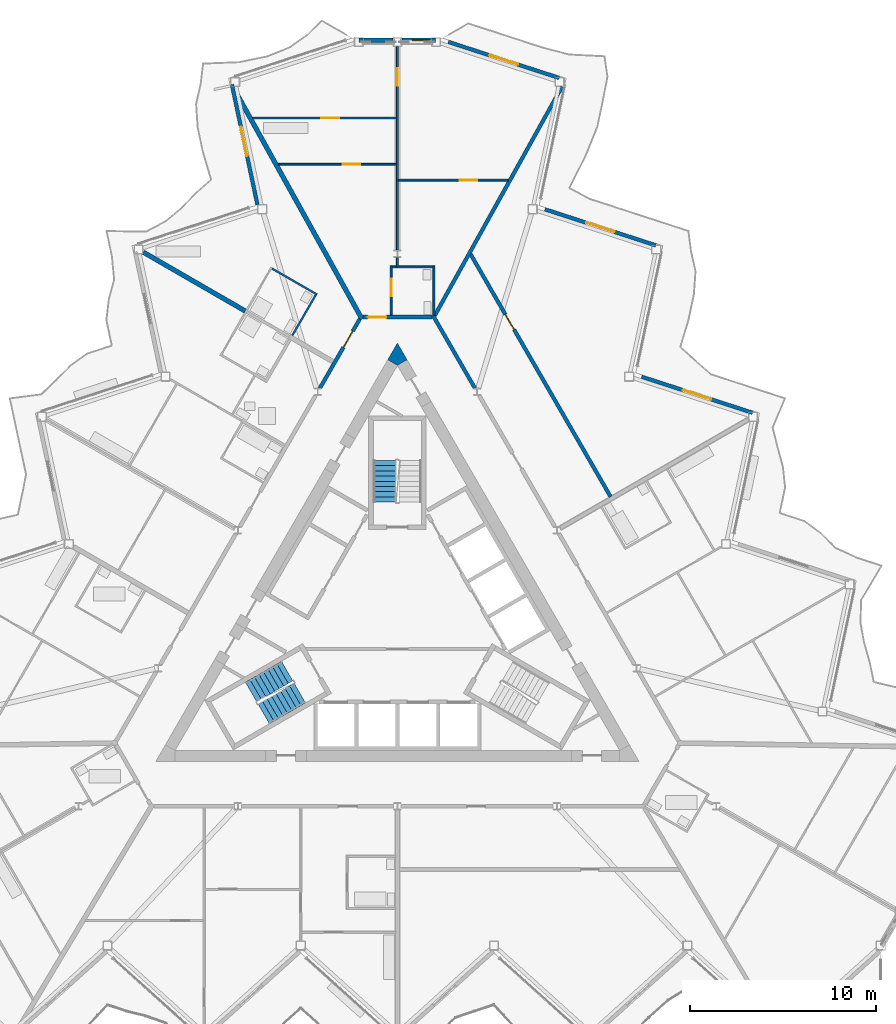
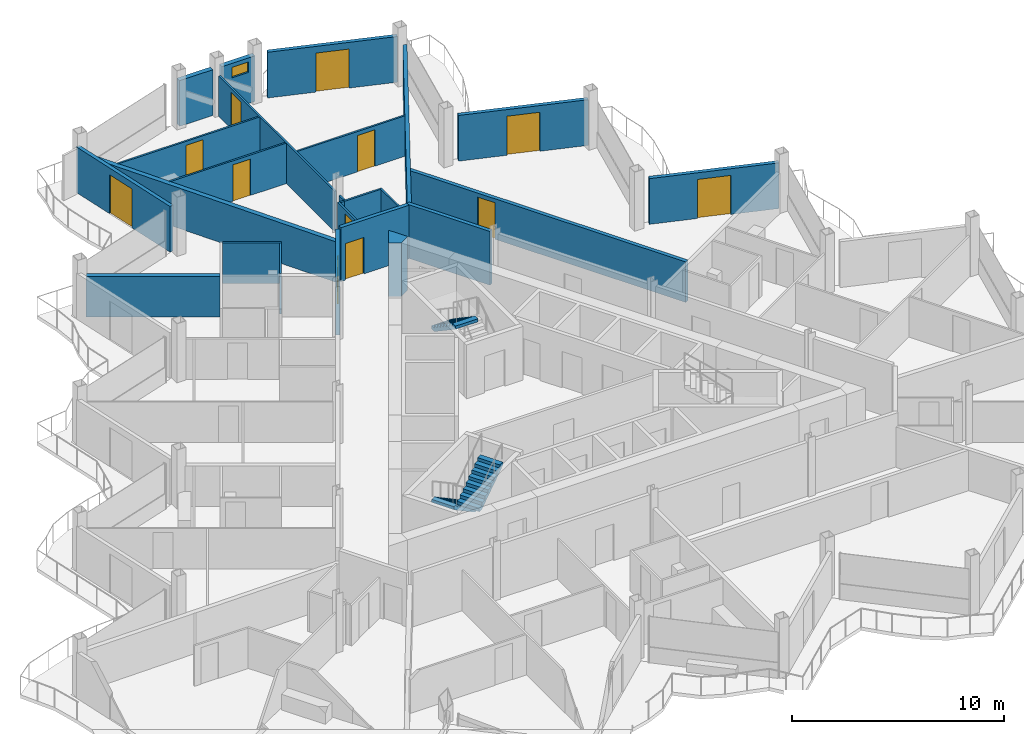
# One storey, part 17 of 26: 25 walls, 12 doors, 3 stair flights, 1 window, 13 openings, 2 elements without a shape of their own.
"""IFC4 building model written with IfcOpenShell, lengths in metres."""

from ifc_helpers import new_model, si_unit, direction, frame, frame_2d, origin, place, context, subcontext, project, spatial, polyline, rectangle, outline, extrude, material, layer, layer_set, type_object, element, fill, aggregate, save


model = new_model("IFC4")

# Units and contexts
model_context = context("Model", 3, precision=1e-05, world=origin(), true_north=direction((0.0, 1.0)))
body_context = subcontext(model_context, "Body", "Model", "MODEL_VIEW")
ifc_project = project(units=[si_unit("LENGTHUNIT", "METRE"), si_unit("AREAUNIT", "SQUARE_METRE"), si_unit("VOLUMEUNIT", "CUBIC_METRE"), si_unit("PLANEANGLEUNIT", "RADIAN"), si_unit("MASSUNIT", "GRAM", prefix="KILO")], contexts=[model_context])

# Site, building, storey
site_placement = place(None, origin())
site = spatial("IfcSite", under=ifc_project, at=site_placement, CompositionType="ELEMENT")
building_placement = place(site_placement, origin())
building = spatial("IfcBuilding", under=site, at=building_placement, Name="Cormorant Prow Tower", CompositionType="ELEMENT")
storey_placement = place(building_placement, frame((0.0, 0.0, 388.199951171875)))
storey = spatial("IfcBuildingStorey", under=building, at=storey_placement, Name="L88", CompositionType="ELEMENT", Elevation=388.199951171875)

# Walls
ifc_material_1 = material(Name="Concrete 8000 psi", Category="concrete")
ifc_layer_1 = layer(ifc_material_1, 0.60009765625)
ifc_layer_set_1 = layer_set([ifc_layer_1], Name="Concrete 8000 psi")
wall_type_1 = type_object("IfcWallType", Name="Core shear wall 600", PredefinedType="SHEAR", material=ifc_layer_set_1)
wall_1_placement = place(storey_placement, origin())
element("IfcWall", 1, at=wall_1_placement, inside=storey, type_object=wall_type_1, Name="Core wall corner", PredefinedType="SHEAR", context=body_context, shape_type="SweptSolid", body=[
    extrude(outline(polyline([(-0.51953125, 14.111083984375), (0.0, 15.010986328125), (0.51953125, 14.111083984375), (0.0, 13.81103515625), (-0.51953125, 14.111083984375)])), origin(), (0.0, 0.0, 1.0), 3.10009765625),
])
ifc_material_2 = material(Name="Gypsum board corridor wall")
ifc_layer_2 = layer(ifc_material_2, 0.199951171875)
ifc_layer_set_2 = layer_set([ifc_layer_2], Name="Gypsum board corridor wall")
wall_type_2 = type_object("IfcWallType", Name="Corridor wall 200", PredefinedType="PARTITIONING", material=ifc_layer_set_2)
wall_2_placement = place(storey_placement, frame((1.9130859375, 16.497802734375, 0.0), z_axis=(0.0, 0.0, 1.0), x_axis=(0.499974648164, -0.866040040179, 0.0)))
element("IfcWall", 2, at=wall_2_placement, inside=storey, type_object=wall_type_2, Name="Corridor wall", PredefinedType="PARTITIONING", context=body_context, shape_type="SweptSolid", body=[
    extrude(rectangle(XDim=4.525146484375, YDim=0.199951171875, at=frame_2d((2.2626953125, 0.0))), origin(), (0.0, 0.0, 1.0), 3.10009765625),
])

# Wall, opening, door
wall_3_placement = place(storey_placement, frame((-4.175537109375, 12.578857421875, 0.0), z_axis=(0.0, 0.0, 1.0), x_axis=(0.500004215162, 0.866022970146, 0.0)))
wall_3 = element("IfcWall", 3, at=wall_3_placement, inside=storey, type_object=wall_type_2, Name="Corridor wall", PredefinedType="PARTITIONING", context=body_context, shape_type="SweptSolid", body=[
    extrude(rectangle(XDim=4.30029296875, YDim=0.199951171875, at=frame_2d((2.150146484375, 0.0))), origin(), (0.0, 0.0, 1.0), 3.10009765625),
])
opening_1_placement = place(wall_3_placement, frame((2.550048828125, 0.0, 0.0)))
opening_1 = element("IfcOpeningElement", 4, at=opening_1_placement, cuts=wall_3, Name="Opening L88-F31", PredefinedType="OPENING", context=body_context, shape_type="SweptSolid", body=[
    extrude(rectangle(XDim=1.0, YDim=2.10009765625, at=frame_2d((0.5, 1.050048828125))), frame((0.0, 0.10986328125, 0.0), z_axis=(0.0, -1.0, 0.0), x_axis=(1.0, 0.0, 0.0)), (0.0, 0.0, 1.0), 0.219970703125),
])
ifc_material_3 = material(Name="Timber door leaf", Category="wood")
door_type_1 = type_object("IfcDoorType", Name="Flat or room entrance door 1000x2100", OperationType="NOTDEFINED", PredefinedType="DOOR", material=ifc_material_3)
door_1_placement = place(opening_1_placement, origin())
door_1 = element("IfcDoor", 5, at=door_1_placement, inside=storey, type_object=door_type_1, Name="Studio living, kitchen and sleeping room door", OperationType="SINGLE_SWING_RIGHT", OverallHeight=2.10009765625, OverallWidth=1.0, PredefinedType="DOOR", context=body_context, shape_type="SweptSolid", body=[
    extrude(rectangle(XDim=1.0, YDim=2.10009765625, at=frame_2d((0.5, 1.050048828125))), frame((0.0, 0.02490234375, 0.0), z_axis=(0.0, -1.0, 0.0), x_axis=(1.0, 0.0, 0.0)), (0.0, 0.0, 1.0), 0.050048828125),
])
fill(opening_1, door_1)

wall_4_placement = place(storey_placement, frame((-1.837890625, 16.4111328125, 0.0), z_axis=(0.0, 0.0, 1.0), x_axis=(1.0, 0.0, 0.0)))
wall_4 = element("IfcWall", 6, at=wall_4_placement, inside=storey, type_object=wall_type_2, Name="Corridor wall", PredefinedType="PARTITIONING", context=body_context, shape_type="SweptSolid", body=[
    extrude(rectangle(XDim=3.700927734375, YDim=0.199951171875, at=frame_2d((1.8505859375, 0.0))), origin(), (0.0, 0.0, 1.0), 3.10009765625),
])
opening_2_placement = place(wall_4_placement, frame((0.25, 0.0, 0.0)))
opening_2 = element("IfcOpeningElement", 7, at=opening_2_placement, cuts=wall_4, Name="Opening L88-F25", PredefinedType="OPENING", context=body_context, shape_type="SweptSolid", body=[
    extrude(rectangle(XDim=1.0, YDim=2.10009765625, at=frame_2d((0.5, 1.050048828125))), frame((0.0, 0.10986328125, 0.0), z_axis=(0.0, -1.0, 0.0), x_axis=(1.0, 0.0, 0.0)), (0.0, 0.0, 1.0), 0.219970703125),
])
door_2_placement = place(opening_2_placement, origin())
door_2 = element("IfcDoor", 8, at=door_2_placement, inside=storey, type_object=door_type_1, Name="Living room door", OperationType="SINGLE_SWING_RIGHT", OverallHeight=2.10009765625, OverallWidth=1.0, PredefinedType="DOOR", context=body_context, shape_type="SweptSolid", body=[
    extrude(rectangle(XDim=1.0, YDim=2.10009765625, at=frame_2d((0.5, 1.050048828125))), frame((0.0, 0.02490234375, 0.0), z_axis=(0.0, -1.0, 0.0), x_axis=(1.0, 0.0, 0.0)), (0.0, 0.0, 1.0), 0.050048828125),
])
fill(opening_2, door_2)

ifc_material_4 = material(Name="Gypsum board demising wall")
ifc_layer_3 = layer(ifc_material_4, 0.199951171875)
ifc_layer_set_3 = layer_set([ifc_layer_3], Name="Gypsum board demising wall")
wall_type_3 = type_object("IfcWallType", Name="Demising wall 200", PredefinedType="PARTITIONING", material=ifc_layer_set_3)
wall_5_placement = place(storey_placement, frame((3.926025390625, 19.81103515625, 0.0), z_axis=(0.0, 0.0, 1.0), x_axis=(0.500001082559, -0.866024778768, 0.0)))
wall_5 = element("IfcWall", 9, at=wall_5_placement, inside=storey, type_object=wall_type_3, Name="Demising wall", PredefinedType="PARTITIONING", context=body_context, shape_type="SweptSolid", body=[
    extrude(rectangle(XDim=15.09375, YDim=0.199951171875, at=frame_2d((7.546875, 0.0))), origin(), (0.0, 0.0, 1.0), 2.330078125),
])
opening_3_placement = place(wall_5_placement, frame((3.76123046875, 0.0, 0.0)))
opening_3 = element("IfcOpeningElement", 10, at=opening_3_placement, cuts=wall_5, Name="Opening L88-F24", PredefinedType="OPENING", context=body_context, shape_type="SweptSolid", body=[
    extrude(rectangle(XDim=0.949951171875, YDim=2.10009765625, at=frame_2d((0.47509765625, 1.050048828125))), frame((0.0, 0.10986328125, 0.0), z_axis=(0.0, -1.0, 0.0), x_axis=(1.0, 0.0, 0.0)), (0.0, 0.0, 1.0), 0.219970703125),
])
ifc_material_5 = material(Name="Timber door leaf", Category="wood")
door_type_2 = type_object("IfcDoorType", Name="Store door 950x2100", OperationType="NOTDEFINED", PredefinedType="DOOR", material=ifc_material_5)
door_3_placement = place(opening_3_placement, origin())
door_3 = element("IfcDoor", 11, at=door_3_placement, inside=storey, type_object=door_type_2, Name="Bicycle store door", OperationType="SINGLE_SWING_RIGHT", OverallHeight=2.10009765625, OverallWidth=0.949951171875, PredefinedType="DOOR", context=body_context, shape_type="SweptSolid", body=[
    extrude(rectangle(XDim=0.949951171875, YDim=2.10009765625, at=frame_2d((0.47509765625, 1.050048828125))), frame((0.0, 0.02490234375, 0.0), z_axis=(0.0, -1.0, 0.0), x_axis=(1.0, 0.0, 0.0)), (0.0, 0.0, 1.0), 0.050048828125),
])
fill(opening_3, door_3)

# Wall
wall_6_placement = place(storey_placement, frame((2.01171875, 16.498291015625, 0.0), z_axis=(0.0, 0.0, 1.0), x_axis=(0.485991996179, 0.873963259897, 0.0)))
element("IfcWall", 12, at=wall_6_placement, inside=storey, type_object=wall_type_3, Name="Demising wall", PredefinedType="PARTITIONING", context=body_context, shape_type="SweptSolid", body=[
    extrude(rectangle(XDim=14.072509765625, YDim=0.199951171875, at=frame_2d((7.0361328125, 0.0))), origin(), (0.0, 0.0, 1.0), 2.330078125),
])

# Wall, opening, door
ifc_material_6 = material(Name="Gypsum board partition")
ifc_layer_4 = layer(ifc_material_6, 0.10009765625)
ifc_layer_set_4 = layer_set([ifc_layer_4], Name="Gypsum board partition")
wall_type_4 = type_object("IfcWallType", Name="Internal partition 100", PredefinedType="PARTITIONING", material=ifc_layer_set_4)
wall_7_placement = place(storey_placement, frame((0.0, 20.008056640625, 0.0), z_axis=(0.0, 0.0, 1.0), x_axis=(0.0, 1.0, 0.0)))
wall_7 = element("IfcWall", 13, at=wall_7_placement, inside=storey, type_object=wall_type_4, Name="Internal partition", PredefinedType="PARTITIONING", context=body_context, shape_type="SweptSolid", body=[
    extrude(rectangle(XDim=10.951416015625, YDim=0.10009765625, at=frame_2d((5.4755859375, 0.0))), origin(), (0.0, 0.0, 1.0), 2.330078125),
])
opening_4_placement = place(wall_7_placement, frame((8.851318359375, 0.0, 0.0)))
opening_4 = element("IfcOpeningElement", 14, at=opening_4_placement, cuts=wall_7, Name="Opening L88-F29", PredefinedType="OPENING", context=body_context, shape_type="SweptSolid", body=[
    extrude(rectangle(XDim=0.949951171875, YDim=2.10009765625, at=frame_2d((0.47509765625, 1.050048828125))), frame((0.0, 0.06005859375, 0.0), z_axis=(0.0, -1.0, 0.0), x_axis=(1.0, 0.0, 0.0)), (0.0, 0.0, 1.0), 0.1201171875),
])
ifc_material_7 = material(Name="Timber door leaf", Category="wood")
door_type_3 = type_object("IfcDoorType", Name="Bathroom door 950x2100", OperationType="NOTDEFINED", PredefinedType="DOOR", material=ifc_material_7)
door_4_placement = place(opening_4_placement, origin())
door_4 = element("IfcDoor", 15, at=door_4_placement, inside=storey, type_object=door_type_3, Name="Dining room door", OperationType="SINGLE_SWING_LEFT", OverallHeight=2.10009765625, OverallWidth=0.949951171875, PredefinedType="DOOR", context=body_context, shape_type="SweptSolid", body=[
    extrude(rectangle(XDim=0.949951171875, YDim=2.10009765625, at=frame_2d((0.47509765625, 1.050048828125))), frame((0.0, 0.02490234375, 0.0), z_axis=(0.0, -1.0, 0.0), x_axis=(1.0, 0.0, 0.0)), (0.0, 0.0, 1.0), 0.050048828125),
])
fill(opening_4, door_4)

wall_8_placement = place(storey_placement, frame((-7.793212890625, 27.1201171875, 0.0), z_axis=(0.0, 0.0, 1.0), x_axis=(1.0, 0.0, 0.0)))
wall_8 = element("IfcWall", 16, at=wall_8_placement, inside=storey, type_object=wall_type_4, Name="Internal partition", PredefinedType="PARTITIONING", context=body_context, shape_type="SweptSolid", body=[
    extrude(rectangle(XDim=7.7431640625, YDim=0.10009765625, at=frame_2d((3.87158203125, 0.0))), origin(), (0.0, 0.0, 1.0), 2.330078125),
])
opening_5_placement = place(wall_8_placement, frame((3.701171875, 0.0, 0.0)))
opening_5 = element("IfcOpeningElement", 17, at=opening_5_placement, cuts=wall_8, Name="Opening L88-F28", PredefinedType="OPENING", context=body_context, shape_type="SweptSolid", body=[
    extrude(rectangle(XDim=0.949951171875, YDim=2.10009765625, at=frame_2d((0.47509765625, 1.050048828125))), frame((0.0, 0.06005859375, 0.0), z_axis=(0.0, -1.0, 0.0), x_axis=(1.0, 0.0, 0.0)), (0.0, 0.0, 1.0), 0.1201171875),
])
door_5_placement = place(opening_5_placement, origin())
door_5 = element("IfcDoor", 18, at=door_5_placement, inside=storey, type_object=door_type_3, Name="Kitchen door", OperationType="SINGLE_SWING_LEFT", OverallHeight=2.10009765625, OverallWidth=0.949951171875, PredefinedType="DOOR", context=body_context, shape_type="SweptSolid", body=[
    extrude(rectangle(XDim=0.949951171875, YDim=2.10009765625, at=frame_2d((0.47509765625, 1.050048828125))), frame((0.0, 0.02490234375, 0.0), z_axis=(0.0, -1.0, 0.0), x_axis=(1.0, 0.0, 0.0)), (0.0, 0.0, 1.0), 0.050048828125),
])
fill(opening_5, door_5)

wall_9_placement = place(storey_placement, frame((-6.407958984375, 24.629150390625, 0.0), z_axis=(0.0, 0.0, 1.0), x_axis=(1.0, 0.0, 0.0)))
wall_9 = element("IfcWall", 19, at=wall_9_placement, inside=storey, type_object=wall_type_4, Name="Internal partition", PredefinedType="PARTITIONING", context=body_context, shape_type="SweptSolid", body=[
    extrude(rectangle(XDim=6.35791015625, YDim=0.10009765625, at=frame_2d((3.178955078125, 0.0))), origin(), (0.0, 0.0, 1.0), 2.330078125),
])
opening_6_placement = place(wall_9_placement, frame((3.455322265625, 0.0, 0.0)))
opening_6 = element("IfcOpeningElement", 20, at=opening_6_placement, cuts=wall_9, Name="Opening L88-F27", PredefinedType="OPENING", context=body_context, shape_type="SweptSolid", body=[
    extrude(rectangle(XDim=0.949951171875, YDim=2.10009765625, at=frame_2d((0.47509765625, 1.050048828125))), frame((0.0, 0.06005859375, 0.0), z_axis=(0.0, -1.0, 0.0), x_axis=(1.0, 0.0, 0.0)), (0.0, 0.0, 1.0), 0.1201171875),
])
door_6_placement = place(opening_6_placement, origin())
door_6 = element("IfcDoor", 21, at=door_6_placement, inside=storey, type_object=door_type_3, Name="Living room door", OperationType="SINGLE_SWING_RIGHT", OverallHeight=2.10009765625, OverallWidth=0.949951171875, PredefinedType="DOOR", context=body_context, shape_type="SweptSolid", body=[
    extrude(rectangle(XDim=0.949951171875, YDim=2.10009765625, at=frame_2d((0.47509765625, 1.050048828125))), frame((0.0, 0.02490234375, 0.0), z_axis=(0.0, -1.0, 0.0), x_axis=(1.0, 0.0, 0.0)), (0.0, 0.0, 1.0), 0.050048828125),
])
fill(opening_6, door_6)

wall_10_placement = place(storey_placement, frame((0.050048828125, 23.7783203125, 0.0), z_axis=(0.0, 0.0, 1.0), x_axis=(1.0, 0.0, 0.0)))
wall_10 = element("IfcWall", 22, at=wall_10_placement, inside=storey, type_object=wall_type_4, Name="Internal partition", PredefinedType="PARTITIONING", context=body_context, shape_type="SweptSolid", body=[
    extrude(rectangle(XDim=5.909912109375, YDim=0.10009765625, at=frame_2d((2.955078125, 0.0))), origin(), (0.0, 0.0, 1.0), 2.330078125),
])
opening_7_placement = place(wall_10_placement, frame((3.291015625, 0.0, 0.0)))
opening_7 = element("IfcOpeningElement", 23, at=opening_7_placement, cuts=wall_10, Name="Opening L88-F30", PredefinedType="OPENING", context=body_context, shape_type="SweptSolid", body=[
    extrude(rectangle(XDim=0.949951171875, YDim=2.10009765625, at=frame_2d((0.47509765625, 1.050048828125))), frame((0.0, 0.06005859375, 0.0), z_axis=(0.0, -1.0, 0.0), x_axis=(1.0, 0.0, 0.0)), (0.0, 0.0, 1.0), 0.1201171875),
])
door_7_placement = place(opening_7_placement, origin())
door_7 = element("IfcDoor", 24, at=door_7_placement, inside=storey, type_object=door_type_3, Name="Principal bedroom door", OperationType="SINGLE_SWING_RIGHT", OverallHeight=2.10009765625, OverallWidth=0.949951171875, PredefinedType="DOOR", context=body_context, shape_type="SweptSolid", body=[
    extrude(rectangle(XDim=0.949951171875, YDim=2.10009765625, at=frame_2d((0.47509765625, 1.050048828125))), frame((0.0, 0.02490234375, 0.0), z_axis=(0.0, -1.0, 0.0), x_axis=(1.0, 0.0, 0.0)), (0.0, 0.0, 1.0), 0.050048828125),
])
fill(opening_7, door_7)

# Walls
wall_11_placement = place(storey_placement, frame((-6.748291015625, 19.022705078125, 0.0), z_axis=(0.0, 0.0, 1.0), x_axis=(0.866034573852, -0.49998411664, 0.0)))
element("IfcWall", 25, at=wall_11_placement, inside=storey, type_object=wall_type_4, Name="Internal partition", PredefinedType="PARTITIONING", context=body_context, shape_type="SweptSolid", body=[
    extrude(rectangle(XDim=2.7998046875, YDim=0.10009765625, at=frame_2d((1.39990234375, 0.0))), origin(), (0.0, 0.0, 1.0), 2.330078125),
])
wall_12_placement = place(storey_placement, frame((-5.654296875, 15.417724609375, 0.0), z_axis=(0.0, 0.0, 1.0), x_axis=(0.500048846702, 0.865997200291, 0.0)))
element("IfcWall", 26, at=wall_12_placement, inside=storey, type_object=wall_type_4, Name="Internal partition", PredefinedType="PARTITIONING", context=body_context, shape_type="SweptSolid", body=[
    extrude(rectangle(XDim=2.525146484375, YDim=0.10009765625, at=frame_2d((1.2626953125, 0.0))), origin(), (0.0, 0.0, 1.0), 2.330078125),
])
wall_13_placement = place(storey_placement, frame((1.962890625, 16.510986328125, 0.0), z_axis=(0.0, 0.0, 1.0), x_axis=(0.0, 1.0, 0.0)))
element("IfcWall", 27, at=wall_13_placement, inside=storey, type_object=wall_type_4, Name="Internal partition", PredefinedType="PARTITIONING", context=body_context, shape_type="SweptSolid", body=[
    extrude(rectangle(XDim=2.650146484375, YDim=0.10009765625, at=frame_2d((1.3251953125, 0.0))), origin(), (0.0, 0.0, 1.0), 2.330078125),
])

# Wall, opening, door
wall_14_placement = place(storey_placement, frame((-0.3369140625, 16.510986328125, 0.0), z_axis=(0.0, 0.0, 1.0), x_axis=(0.0, 1.0, 0.0)))
wall_14 = element("IfcWall", 28, at=wall_14_placement, inside=storey, type_object=wall_type_4, Name="Internal partition", PredefinedType="PARTITIONING", context=body_context, shape_type="SweptSolid", body=[
    extrude(rectangle(XDim=2.649169921875, YDim=0.10009765625, at=frame_2d((1.32470703125, 0.0))), origin(), (0.0, 0.0, 1.0), 2.330078125),
])
opening_8_placement = place(wall_14_placement, frame((1.01318359375, 0.0, 0.0)))
opening_8 = element("IfcOpeningElement", 29, at=opening_8_placement, cuts=wall_14, Name="Opening L88-F26", PredefinedType="OPENING", context=body_context, shape_type="SweptSolid", body=[
    extrude(rectangle(XDim=0.949951171875, YDim=2.10009765625, at=frame_2d((0.47509765625, 1.050048828125))), frame((0.0, 0.06005859375, 0.0), z_axis=(0.0, -1.0, 0.0), x_axis=(1.0, 0.0, 0.0)), (0.0, 0.0, 1.0), 0.1201171875),
])
door_8_placement = place(opening_8_placement, origin())
door_8 = element("IfcDoor", 30, at=door_8_placement, inside=storey, type_object=door_type_3, Name="Living room door", OperationType="SINGLE_SWING_RIGHT", OverallHeight=2.10009765625, OverallWidth=0.949951171875, PredefinedType="DOOR", context=body_context, shape_type="SweptSolid", body=[
    extrude(rectangle(XDim=0.949951171875, YDim=2.10009765625, at=frame_2d((0.47509765625, 1.050048828125))), frame((0.0, 0.02490234375, 0.0), z_axis=(0.0, -1.0, 0.0), x_axis=(1.0, 0.0, 0.0)), (0.0, 0.0, 1.0), 0.050048828125),
])
fill(opening_8, door_8)

# Walls
wall_15_placement = place(storey_placement, frame((-0.06005859375, 19.111083984375, 0.0), z_axis=(0.0, 0.0, 1.0), x_axis=(1.0, 0.0, 0.0)))
element("IfcWall", 31, at=wall_15_placement, inside=storey, type_object=wall_type_4, Name="Internal partition", PredefinedType="PARTITIONING", context=body_context, shape_type="SweptSolid", body=[
    extrude(rectangle(XDim=1.97314453125, YDim=0.10009765625, at=frame_2d((0.986572265625, 0.0))), origin(), (0.0, 0.0, 1.0), 2.330078125),
])
wall_16_placement = place(storey_placement, frame((0.0, 19.1611328125, 0.0), z_axis=(0.0, 0.0, 1.0), x_axis=(0.0, 1.0, 0.0)))
element("IfcWall", 32, at=wall_16_placement, inside=storey, type_object=wall_type_4, Name="Internal partition", PredefinedType="PARTITIONING", context=body_context, shape_type="SweptSolid", body=[
    extrude(rectangle(XDim=0.452880859375, YDim=0.10009765625, at=frame_2d((0.2265625, 0.0))), origin(), (0.0, 0.0, 1.0), 2.330078125),
])
wall_17_placement = place(storey_placement, frame((-0.287109375, 19.1103515625, 0.0), z_axis=(0.0, 0.0, 1.0), x_axis=(0.999994683407, 0.003260852229, 0.0)))
element("IfcWall", 33, at=wall_17_placement, inside=storey, type_object=wall_type_4, Name="Internal partition", PredefinedType="PARTITIONING", context=body_context, shape_type="SweptSolid", body=[
    extrude(rectangle(XDim=0.224609375, YDim=0.10009765625, at=frame_2d((0.1123046875, 0.0))), origin(), (0.0, 0.0, 1.0), 2.330078125),
])
ifc_material_8 = material(Name="Acoustic gypsum party wall")
ifc_layer_5 = layer(ifc_material_8, 0.25)
ifc_layer_set_5 = layer_set([ifc_layer_5], Name="Acoustic gypsum party wall")
wall_type_5 = type_object("IfcWallType", Name="Suite party wall 250", PredefinedType="PARTITIONING", material=ifc_layer_set_5)
wall_18_placement = place(storey_placement, frame((-8.68505859375, 28.4990234375, 0.0), z_axis=(0.0, 0.0, 1.0), x_axis=(0.486017177904, -0.873949256412, 0.0)))
element("IfcWall", 34, at=wall_18_placement, inside=storey, type_object=wall_type_5, Name="Suite party wall", PredefinedType="PARTITIONING", context=body_context, shape_type="SweptSolid", body=[
    extrude(rectangle(XDim=13.956298828125, YDim=0.25, at=frame_2d((6.97802734375, 0.0))), origin(), (0.0, 0.0, 1.0), 2.330078125),
])
wall_19_placement = place(storey_placement, frame((-13.668701171875, 19.900390625, 0.0), z_axis=(0.0, 0.0, 1.0), x_axis=(0.866032778651, -0.499987226139, 0.0)))
element("IfcWall", 35, at=wall_19_placement, inside=storey, type_object=wall_type_5, Name="Suite party wall", PredefinedType="PARTITIONING", context=body_context, shape_type="SweptSolid", body=[
    extrude(rectangle(XDim=6.332275390625, YDim=0.25, at=frame_2d((3.166015625, 0.0))), origin(), (0.0, 0.0, 1.0), 2.330078125),
])

# Wall, opening, window
ifc_material_9 = material(Name="Terracotta", Category="masonry")
ifc_layer_6 = layer(ifc_material_9, 0.25)
ifc_layer_set_6 = layer_set([ifc_layer_6], Name="Terracotta")
wall_type_6 = type_object("IfcWallType", Name="Terracotta bay wall 250", PredefinedType="SOLIDWALL", material=ifc_layer_set_6)
wall_20_placement = place(storey_placement, frame((2.0576171875, 31.29638671875, 0.0), z_axis=(0.0, 0.0, 1.0), x_axis=(-1.0, 0.0, 0.0)))
wall_20 = element("IfcWall", 36, at=wall_20_placement, inside=storey, type_object=wall_type_6, Name="Terracotta bay wall N00", PredefinedType="SOLIDWALL", context=body_context, shape_type="SweptSolid", body=[
    extrude(rectangle(XDim=1.8076171875, YDim=0.25, at=frame_2d((0.90380859375, 0.0))), origin(), (0.0, 0.0, 1.0), 2.634033203125),
])
opening_9_placement = place(wall_20_placement, frame((0.35009765625, 0.0, 1.800048828125)))
opening_9 = element("IfcOpeningElement", 37, at=opening_9_placement, cuts=wall_20, Name="Opening WN7", PredefinedType="OPENING", context=body_context, shape_type="SweptSolid", body=[
    extrude(rectangle(XDim=0.89990234375, YDim=0.60009765625, at=frame_2d((0.449951171875, 0.300048828125))), frame((0.0, 0.135009765625, 0.0), z_axis=(0.0, -1.0, 0.0), x_axis=(1.0, 0.0, 0.0)), (0.0, 0.0, 1.0), 0.27001953125),
])
ifc_material_10 = material(Name="Aluminium 6063-T6", Category="aluminium")
window_type = type_object("IfcWindowType", Name="Corner bay window 900x600", PartitioningType="SINGLE_PANEL", PredefinedType="WINDOW", material=ifc_material_10)
window_placement = place(opening_9_placement, origin())
window = element("IfcWindow", 38, at=window_placement, inside=storey, type_object=window_type, Name="Corner bay window N00", OverallHeight=0.60009765625, OverallWidth=0.89990234375, PartitioningType="SINGLE_PANEL", PredefinedType="WINDOW", context=body_context, shape_type="SweptSolid", body=[
    extrude(rectangle(XDim=0.89990234375, YDim=0.60009765625, at=frame_2d((0.449951171875, 0.300048828125))), frame((0.0, 0.030029296875, 0.0), z_axis=(0.0, -1.0, 0.0), x_axis=(1.0, 0.0, 0.0)), (0.0, 0.0, 1.0), 0.06005859375),
])
fill(opening_9, window)

# Wall
wall_21_placement = place(storey_placement, frame((-0.25, 31.29638671875, 0.0), z_axis=(0.0, 0.0, 1.0), x_axis=(-1.0, 0.0, 0.0)))
element("IfcWall", 39, at=wall_21_placement, inside=storey, type_object=wall_type_6, Name="Terracotta bay wall N01", PredefinedType="SOLIDWALL", context=body_context, shape_type="SweptSolid", body=[
    extrude(rectangle(XDim=1.8076171875, YDim=0.25, at=frame_2d((0.90380859375, 0.0))), origin(), (0.0, 0.0, 1.0), 2.634033203125),
])

# Wall, opening, door
ifc_material_11 = material(Name="Terracotta", Category="masonry")
ifc_layer_7 = layer(ifc_material_11, 0.199951171875)
ifc_layer_set_7 = layer_set([ifc_layer_7], Name="Terracotta")
wall_type_7 = type_object("IfcWallType", Name="Terracotta jamb wall 200", PredefinedType="SOLIDWALL", material=ifc_layer_set_7)
wall_22_placement = place(storey_placement, frame((19.099365234375, 11.263916015625, 0.0), z_axis=(0.0, 0.0, 1.0), x_axis=(-0.951056402988, 0.3090173431, 0.0)))
wall_22 = element("IfcWall", 40, at=wall_22_placement, inside=storey, type_object=wall_type_7, Name="Terracotta jamb wall ENE05", PredefinedType="SOLIDWALL", context=body_context, shape_type="SweptSolid", body=[
    extrude(rectangle(XDim=6.26513671875, YDim=0.199951171875, at=frame_2d((3.132568359375, 0.0))), origin(), (0.0, 0.0, 1.0), 2.634033203125),
])
opening_10_placement = place(wall_22_placement, frame((2.332763671875, 0.0, 0.0)))
opening_10 = element("IfcOpeningElement", 41, at=opening_10_placement, cuts=wall_22, Name="Opening ED88.08", PredefinedType="OPENING", context=body_context, shape_type="SweptSolid", body=[
    extrude(rectangle(XDim=1.60009765625, YDim=2.25, at=frame_2d((0.800048828125, 1.125))), frame((0.0, 0.10986328125, 0.0), z_axis=(0.0, -1.0, 0.0), x_axis=(1.0, 0.0, 0.0)), (0.0, 0.0, 1.0), 0.219970703125),
])
ifc_material_12 = material(Name="Aluminium 6063-T6", Category="aluminium")
door_type_4 = type_object("IfcDoorType", Name="Balcony door 1600x2250", OperationType="DOUBLE_DOOR_SINGLE_SWING", PredefinedType="DOOR", material=ifc_material_12)
door_9_placement = place(opening_10_placement, origin())
door_9 = element("IfcDoor", 42, at=door_9_placement, inside=storey, type_object=door_type_4, Name="Balcony door ENE05 ED88.08", OperationType="DOUBLE_DOOR_SINGLE_SWING", OverallHeight=2.25, OverallWidth=1.60009765625, PredefinedType="DOOR", context=body_context, shape_type="SweptSolid", body=[
    extrude(rectangle(XDim=1.60009765625, YDim=2.25, at=frame_2d((0.800048828125, 1.125))), frame((0.0, 0.02490234375, 0.0), z_axis=(0.0, -1.0, 0.0), x_axis=(1.0, 0.0, 0.0)), (0.0, 0.0, 1.0), 0.050048828125),
])
fill(opening_10, door_9)

wall_23_placement = place(storey_placement, frame((13.8994140625, 20.2705078125, 0.0), z_axis=(0.0, 0.0, 1.0), x_axis=(-0.951056402988, 0.3090173431, 0.0)))
wall_23 = element("IfcWall", 43, at=wall_23_placement, inside=storey, type_object=wall_type_7, Name="Terracotta jamb wall ENE07", PredefinedType="SOLIDWALL", context=body_context, shape_type="SweptSolid", body=[
    extrude(rectangle(XDim=6.26513671875, YDim=0.199951171875, at=frame_2d((3.132568359375, 0.0))), origin(), (0.0, 0.0, 1.0), 2.634033203125),
])
opening_11_placement = place(wall_23_placement, frame((2.332763671875, 0.0, 0.0)))
opening_11 = element("IfcOpeningElement", 44, at=opening_11_placement, cuts=wall_23, Name="Opening ED88.09", PredefinedType="OPENING", context=body_context, shape_type="SweptSolid", body=[
    extrude(rectangle(XDim=1.60009765625, YDim=2.25, at=frame_2d((0.800048828125, 1.125))), frame((0.0, 0.10986328125, 0.0), z_axis=(0.0, -1.0, 0.0), x_axis=(1.0, 0.0, 0.0)), (0.0, 0.0, 1.0), 0.219970703125),
])
door_10_placement = place(opening_11_placement, origin())
door_10 = element("IfcDoor", 45, at=door_10_placement, inside=storey, type_object=door_type_4, Name="Balcony door ENE07 ED88.09", OperationType="DOUBLE_DOOR_SINGLE_SWING", OverallHeight=2.25, OverallWidth=1.60009765625, PredefinedType="DOOR", context=body_context, shape_type="SweptSolid", body=[
    extrude(rectangle(XDim=1.60009765625, YDim=2.25, at=frame_2d((0.800048828125, 1.125))), frame((0.0, 0.02490234375, 0.0), z_axis=(0.0, -1.0, 0.0), x_axis=(1.0, 0.0, 0.0)), (0.0, 0.0, 1.0), 0.050048828125),
])
fill(opening_11, door_10)

wall_24_placement = place(storey_placement, frame((8.699462890625, 29.277099609375, 0.0), z_axis=(0.0, 0.0, 1.0), x_axis=(-0.951048671744, 0.309041136379, 0.0)))
wall_24 = element("IfcWall", 46, at=wall_24_placement, inside=storey, type_object=wall_type_7, Name="Terracotta jamb wall ENE09", PredefinedType="SOLIDWALL", context=body_context, shape_type="SweptSolid", body=[
    extrude(rectangle(XDim=6.265380859375, YDim=0.199951171875, at=frame_2d((3.1328125, 0.0))), origin(), (0.0, 0.0, 1.0), 2.634033203125),
])
opening_12_placement = place(wall_24_placement, frame((2.332763671875, 0.0, 0.0)))
opening_12 = element("IfcOpeningElement", 47, at=opening_12_placement, cuts=wall_24, Name="Opening ED88.10", PredefinedType="OPENING", context=body_context, shape_type="SweptSolid", body=[
    extrude(rectangle(XDim=1.60009765625, YDim=2.25, at=frame_2d((0.800048828125, 1.125))), frame((0.0, 0.10986328125, 0.0), z_axis=(0.0, -1.0, 0.0), x_axis=(1.0, 0.0, 0.0)), (0.0, 0.0, 1.0), 0.219970703125),
])
door_11_placement = place(opening_12_placement, origin())
door_11 = element("IfcDoor", 48, at=door_11_placement, inside=storey, type_object=door_type_4, Name="Balcony door ENE09 ED88.10", OperationType="DOUBLE_DOOR_SINGLE_SWING", OverallHeight=2.25, OverallWidth=1.60009765625, PredefinedType="DOOR", context=body_context, shape_type="SweptSolid", body=[
    extrude(rectangle(XDim=1.60009765625, YDim=2.25, at=frame_2d((0.800048828125, 1.125))), frame((0.0, 0.02490234375, 0.0), z_axis=(0.0, -1.0, 0.0), x_axis=(1.0, 0.0, 0.0)), (0.0, 0.0, 1.0), 0.050048828125),
])
fill(opening_12, door_11)

wall_25_placement = place(storey_placement, frame((-8.904541015625, 28.922119140625, 0.0), z_axis=(0.0, 0.0, 1.0), x_axis=(0.207917488951, -0.978146368285, 0.0)))
wall_25 = element("IfcWall", 49, at=wall_25_placement, inside=storey, type_object=wall_type_7, Name="Terracotta jamb wall WNW01", PredefinedType="SOLIDWALL", context=body_context, shape_type="SweptSolid", body=[
    extrude(rectangle(XDim=6.612060546875, YDim=0.199951171875, at=frame_2d((3.30615234375, 0.0))), origin(), (0.0, 0.0, 1.0), 2.634033203125),
])
opening_13_placement = place(wall_25_placement, frame((2.332763671875, 0.0, 0.0)))
opening_13 = element("IfcOpeningElement", 50, at=opening_13_placement, cuts=wall_25, Name="Opening ED88.11", PredefinedType="OPENING", context=body_context, shape_type="SweptSolid", body=[
    extrude(rectangle(XDim=1.60009765625, YDim=2.25, at=frame_2d((0.800048828125, 1.125))), frame((0.0, 0.10986328125, 0.0), z_axis=(0.0, -1.0, 0.0), x_axis=(1.0, 0.0, 0.0)), (0.0, 0.0, 1.0), 0.219970703125),
])
door_12_placement = place(opening_13_placement, origin())
door_12 = element("IfcDoor", 51, at=door_12_placement, inside=storey, type_object=door_type_4, Name="Balcony door WNW01 ED88.11", OperationType="DOUBLE_DOOR_SINGLE_SWING", OverallHeight=2.25, OverallWidth=1.60009765625, PredefinedType="DOOR", context=body_context, shape_type="SweptSolid", body=[
    extrude(rectangle(XDim=1.60009765625, YDim=2.25, at=frame_2d((0.800048828125, 1.125))), frame((0.0, 0.02490234375, 0.0), z_axis=(0.0, -1.0, 0.0), x_axis=(1.0, 0.0, 0.0)), (0.0, 0.0, 1.0), 0.050048828125),
])
fill(opening_13, door_12)

# Stair, stair flights
ifc_material_13 = material(Name="Exit stair 18 risers")
stair_type = type_object("IfcStairType", Name="Exit stair 18 risers", PredefinedType="HALF_TURN_STAIR", material=ifc_material_13)
stair_1_placement = place(storey_placement, origin())
stair_1 = element("IfcStair", 52, at=stair_1_placement, inside=storey, type_object=stair_type, Name="L88 Exit stair ST1", PredefinedType="HALF_TURN_STAIR")
ifc_material_14 = material(Name="Concrete 5000 psi", Category="concrete")
stair_flight_type = type_object("IfcStairFlightType", Name="Stair flight 1219", PredefinedType="STRAIGHT", material=ifc_material_14)
stair_flight_1_placement = place(storey_placement, frame((-5.93310546875, -2.635009765625, 0.0), z_axis=(0.0, 0.0, 1.0), x_axis=(-0.866025403784, -0.5, 0.0)))
stair_flight_1 = element("IfcStairFlight", 53, at=stair_flight_1_placement, type_object=stair_flight_type, Name="ST1 flight 1", NumberOfRisers=9, NumberOfTreads=8, PredefinedType="STRAIGHT", RiserHeight=0.188888889, TreadLength=0.28, context=body_context, shape_type="SweptSolid", body=[
    extrude(outline(polyline([(0.0, 0.0), (0.0, 0.18896484375), (0.280029296875, 0.18896484375), (0.280029296875, 0.377685546875), (0.56005859375, 0.377685546875), (0.56005859375, 0.566650390625), (0.840087890625, 0.566650390625), (0.840087890625, 0.755615234375), (1.1201171875, 0.755615234375), (1.1201171875, 0.9443359375), (1.39990234375, 0.9443359375), (1.39990234375, 1.13330078125), (1.679931640625, 1.13330078125), (1.679931640625, 1.322265625), (1.9599609375, 1.322265625), (1.9599609375, 1.51123046875), (2.239990234375, 1.51123046875), (2.239990234375, 1.699951171875), (2.239990234375, 1.330322265625), (0.26806640625, 0.0), (0.0, 0.0)])), frame((0.0, 0.609375, 0.0), z_axis=(0.0, -1.0, 0.0), x_axis=(1.0, 0.0, 0.0)), (0.0, 0.0, 1.0), 1.218994140625),
])
stair_flight_2_placement = place(storey_placement, frame((-7.1884765625, -4.940673828125, 1.699951171875), z_axis=(0.0, 0.0, 1.0), x_axis=(0.866025403784, 0.5, 0.0)))
stair_flight_2 = element("IfcStairFlight", 54, at=stair_flight_2_placement, type_object=stair_flight_type, Name="ST1 flight 2", NumberOfRisers=9, NumberOfTreads=8, PredefinedType="STRAIGHT", RiserHeight=0.188888889, TreadLength=0.28, context=body_context, shape_type="SweptSolid", body=[
    extrude(outline(polyline([(0.0, 0.0), (0.0, 0.18896484375), (0.280029296875, 0.18896484375), (0.280029296875, 0.377685546875), (0.56005859375, 0.377685546875), (0.56005859375, 0.566650390625), (0.840087890625, 0.566650390625), (0.840087890625, 0.755615234375), (1.1201171875, 0.755615234375), (1.1201171875, 0.9443359375), (1.39990234375, 0.9443359375), (1.39990234375, 1.13330078125), (1.679931640625, 1.13330078125), (1.679931640625, 1.322265625), (1.9599609375, 1.322265625), (1.9599609375, 1.51123046875), (2.239990234375, 1.51123046875), (2.239990234375, 1.699951171875), (2.239990234375, 1.330322265625), (0.26806640625, 0.0), (0.0, 0.0)])), frame((0.0, 0.609375, 0.0), z_axis=(0.0, -1.0, 0.0), x_axis=(1.0, 0.0, 0.0)), (0.0, 0.0, 1.0), 1.218994140625),
])
aggregate(stair_1, [stair_flight_1, stair_flight_2])

# Stair, stair flight
stair_2_placement = place(storey_placement, origin())
stair_2 = element("IfcStair", 55, at=stair_2_placement, inside=storey, type_object=stair_type, Name="L88 Exit stair ST3", PredefinedType="HALF_TURN_STAIR")
stair_flight_3_placement = place(storey_placement, frame((-0.6845703125, 8.69580078125, 1.699951171875), z_axis=(0.0, 0.0, 1.0), x_axis=(0.0, -1.0, 0.0)))
stair_flight_3 = element("IfcStairFlight", 56, at=stair_flight_3_placement, type_object=stair_flight_type, Name="ST3 flight 2", NumberOfRisers=9, NumberOfTreads=8, PredefinedType="STRAIGHT", RiserHeight=0.188888889, TreadLength=0.28, context=body_context, shape_type="SweptSolid", body=[
    extrude(outline(polyline([(0.0, 0.0), (0.0, 0.18896484375), (0.280029296875, 0.18896484375), (0.280029296875, 0.377685546875), (0.56005859375, 0.377685546875), (0.56005859375, 0.566650390625), (0.840087890625, 0.566650390625), (0.840087890625, 0.755615234375), (1.1201171875, 0.755615234375), (1.1201171875, 0.9443359375), (1.39990234375, 0.9443359375), (1.39990234375, 1.13330078125), (1.679931640625, 1.13330078125), (1.679931640625, 1.322265625), (1.9599609375, 1.322265625), (1.9599609375, 1.51123046875), (2.239990234375, 1.51123046875), (2.239990234375, 1.699951171875), (2.239990234375, 1.330322265625), (0.26806640625, 0.0), (0.0, 0.0)])), frame((0.0, 0.609375, 0.0), z_axis=(0.0, -1.0, 0.0), x_axis=(1.0, 0.0, 0.0)), (0.0, 0.0, 1.0), 1.218994140625),
])
aggregate(stair_2, [stair_flight_3])

save(model, "model.ifc")
